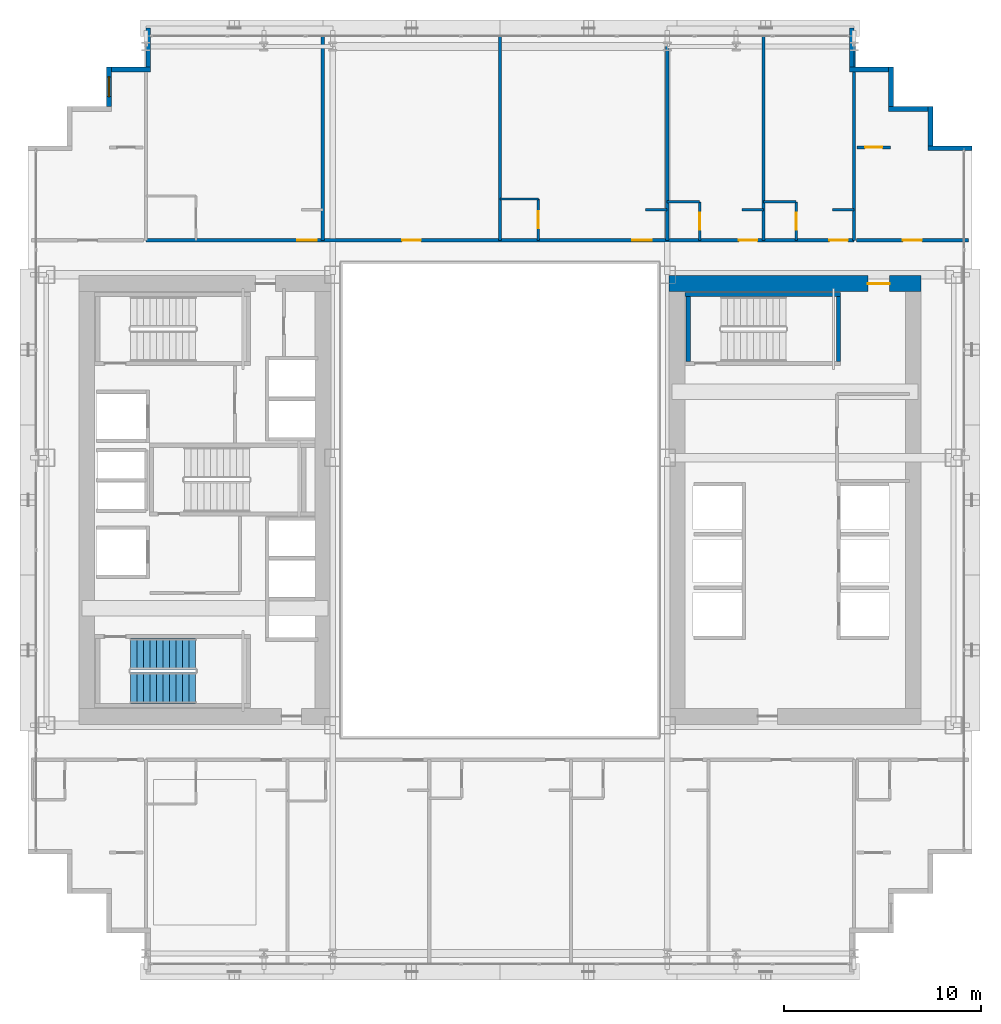
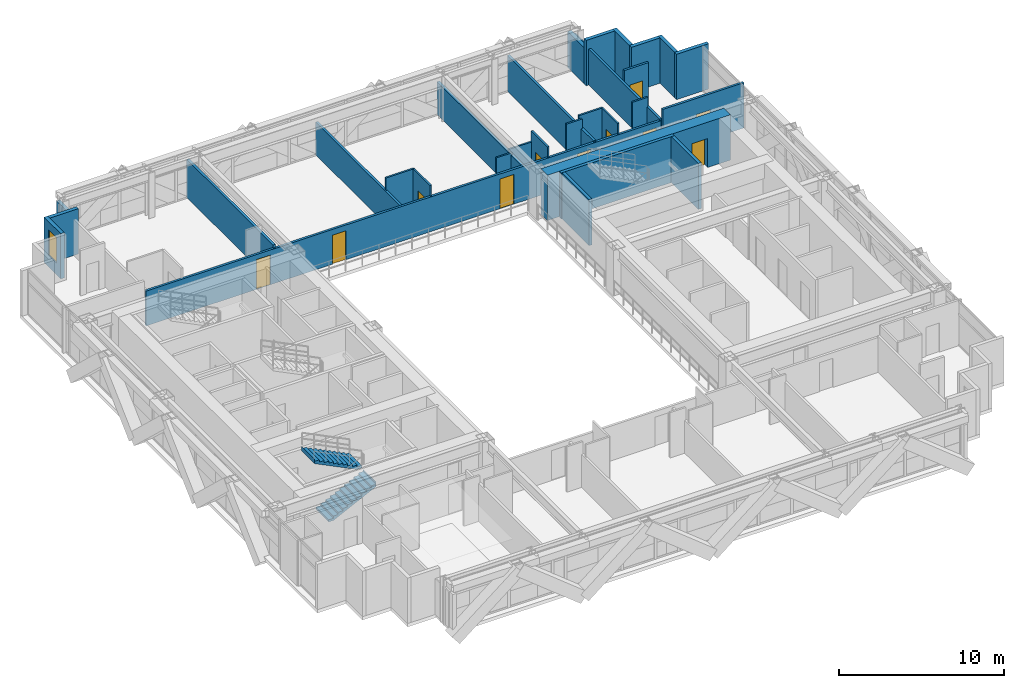
# One storey, part 30 of 35: 30 walls, 11 doors, 2 stair flights, 1 window, 12 openings, 1 element without a shape of its own.
"""IFC4 building model written with IfcOpenShell, lengths in metres."""

from ifc_helpers import new_model, si_unit, direction, frame, frame_2d, origin, place, context, subcontext, project, spatial, polyline, rectangle, outline, extrude, source, transform, mapped, material, layer, layer_set, type_object, element, fill, aggregate, save


model = new_model("IFC4")

# Units and contexts
model_context = context("Model", 3, precision=1e-05, world=origin(), true_north=direction((0.0, 1.0)))
body_context = subcontext(model_context, "Body", "Model", "MODEL_VIEW")
ifc_project = project(units=[si_unit("LENGTHUNIT", "METRE"), si_unit("AREAUNIT", "SQUARE_METRE"), si_unit("VOLUMEUNIT", "CUBIC_METRE"), si_unit("PLANEANGLEUNIT", "RADIAN"), si_unit("MASSUNIT", "GRAM", prefix="KILO")], contexts=[model_context])

# Site, building, storey
site_placement = place(None, origin())
site = spatial("IfcSite", under=ifc_project, at=site_placement, CompositionType="ELEMENT")
building_placement = place(site_placement, origin())
building = spatial("IfcBuilding", under=site, at=building_placement, Name="Ocotamira Hotel", CompositionType="ELEMENT")
storey_placement = place(building_placement, frame((0.0, 0.0, 78.0)))
storey = spatial("IfcBuildingStorey", under=building, at=storey_placement, Name="L19", CompositionType="ELEMENT", Elevation=78.0)

# Wall, opening, door
ifc_material_1 = material(Name="Concrete C60/75", Category="concrete")
ifc_layer_1 = layer(ifc_material_1, 0.800048828125)
ifc_layer_set_1 = layer_set([ifc_layer_1], Name="Concrete C60/75")
wall_type_1 = type_object("IfcWallType", Name="WL-CORE-800", PredefinedType="SHEAR", material=ifc_layer_set_1)
wall_1_placement = place(storey_placement, frame((40.60009765625, 37.0, 0.0), z_axis=(0.0, 0.0, 1.0), x_axis=(1.0, 0.0, 0.0)))
wall_1 = element("IfcWall", 1, at=wall_1_placement, inside=storey, type_object=wall_type_1, Name="L19 Shear Core Wall ECORE-N", PredefinedType="SHEAR", context=body_context, shape_type="SweptSolid", body=[
    extrude(rectangle(XDim=12.7998046875, YDim=0.800048828125, at=frame_2d((6.39990234375, 0.0))), origin(), (0.0, 0.0, 1.0), 3.35009765625),
])
opening_1_placement = place(wall_1_placement, frame((10.10009765625, 0.0, 0.0)))
opening_1 = element("IfcOpeningElement", 2, at=opening_1_placement, cuts=wall_1, Name="Opening D-FR1", PredefinedType="OPENING", context=body_context, shape_type="SweptSolid", body=[
    extrude(rectangle(XDim=1.10009765625, YDim=2.14990234375, at=frame_2d((0.550048828125, 1.074951171875))), frame((0.0, 0.41015625, 0.0), z_axis=(0.0, -1.0, 0.0), x_axis=(1.0, 0.0, 0.0)), (0.0, 0.0, 1.0), 0.820068359375),
])
ifc_material_2 = material(Name="Fire-rated acoustic timber-veneer door", Category="wood")
door_type_1 = type_object("IfcDoorType", Name="DR-FIRE-1100", OperationType="NOTDEFINED", PredefinedType="DOOR", material=ifc_material_2)
shared_shape_1 = source(origin(), body_context, "Body", "SweptSolid", [
    extrude(rectangle(XDim=1.10009765625, YDim=2.14990234375, at=frame_2d((0.550048828125, 1.074951171875))), frame((0.0, 0.02490234375, 0.0), z_axis=(0.0, -1.0, 0.0), x_axis=(1.0, 0.0, 0.0)), (0.0, 0.0, 1.0), 0.050048828125),
])
door_1_placement = place(opening_1_placement, origin())
door_1 = element("IfcDoor", 3, at=door_1_placement, inside=storey, type_object=door_type_1, Name="L19 Door ID-L19-ELOB-N-D [ID-L19-ELOB-N-D]", OperationType="SINGLE_SWING_LEFT", OverallHeight=2.14990234375, OverallWidth=1.10009765625, PredefinedType="DOOR", context=body_context, shape_type="MappedRepresentation", body=[
    mapped(shared_shape_1, transform((0.0, 0.0, 0.0), scale=1.0)),
])
fill(opening_1, door_1)

# Walls
ifc_material_3 = material(Name="Precast concrete C45/55", Category="concrete")
ifc_layer_2 = layer(ifc_material_3, 0.25)
ifc_layer_set_2 = layer_set([ifc_layer_2], Name="Precast concrete C45/55")
wall_type_2 = type_object("IfcWallType", Name="WL-EXT-SER-250", PredefinedType="SOLIDWALL", material=ifc_layer_set_2)
wall_2_placement = place(storey_placement, frame((56.0, 43.875, 0.0), z_axis=(0.0, 0.0, 1.0), x_axis=(-1.0, 0.0, 0.0)))
element("IfcWall", 4, at=wall_2_placement, inside=storey, type_object=wall_type_2, Name="L19 Serrated Corner Wall 07", PredefinedType="SOLIDWALL", context=body_context, shape_type="SweptSolid", body=[
    extrude(rectangle(XDim=2.25, YDim=0.25, at=frame_2d((1.125, 0.0))), origin(), (0.0, 0.0, 1.0), 3.35009765625),
])
for number, where, z_axis, x_axis, name in (
    (5, (53.875, 44.0, 0.0), (0.0, 0.0, 1.0), (0.0, 1.0, 0.0), "L19 Serrated Corner Wall 08"),
    (6, (53.75, 45.875, 0.0), (0.0, 0.0, 1.0), (-1.0, 0.0, 0.0), "L19 Serrated Corner Wall 09"),
    (7, (51.875, 46.0, 0.0), (0.0, 0.0, 1.0), (0.0, 1.0, 0.0), "L19 Serrated Corner Wall 10"),
    (8, (51.75, 47.875, 0.0), (0.0, 0.0, 1.0), (-1.0, 0.0, 0.0), "L19 Serrated Corner Wall 11"),
):
    element("IfcWall", number, at=place(storey_placement, frame(where, z_axis=z_axis, x_axis=x_axis)), inside=storey, type_object=wall_type_2, Name=name, PredefinedType="SOLIDWALL", context=body_context, shape_type="SweptSolid", body=[
        extrude(rectangle(XDim=2.0, YDim=0.25, at=frame_2d((1.0, 0.0))), origin(), (0.0, 0.0, 1.0), 3.35009765625),
    ])
for number, where, z_axis, x_axis, name in (
    (9, (49.875, 48.0, 0.0), (0.0, 0.0, 1.0), (0.0, 1.0, 0.0), "L19 Serrated Corner Wall 12"),
    (10, (14.125, 50.0, 0.0), (0.0, 0.0, 1.0), (0.0, -1.0, 0.0), "L19 Serrated Corner Wall 13"),
):
    element("IfcWall", number, at=place(storey_placement, frame(where, z_axis=z_axis, x_axis=x_axis)), inside=storey, type_object=wall_type_2, Name=name, PredefinedType="SOLIDWALL", context=body_context, shape_type="SweptSolid", body=[
        extrude(rectangle(XDim=2.0, YDim=0.25, at=frame_2d((1.0, 0.0))), origin(), (0.0, 0.0, 1.0), 2.656982421875),
    ])
wall_3_placement = place(storey_placement, frame((14.25, 47.875, 0.0), z_axis=(0.0, 0.0, 1.0), x_axis=(-1.0, 0.0, 0.0)))
element("IfcWall", 11, at=wall_3_placement, inside=storey, type_object=wall_type_2, Name="L19 Serrated Corner Wall 14", PredefinedType="SOLIDWALL", context=body_context, shape_type="SweptSolid", body=[
    extrude(rectangle(XDim=2.0, YDim=0.25, at=frame_2d((1.0, 0.0))), origin(), (0.0, 0.0, 1.0), 3.35009765625),
])

# Wall, opening, window
wall_4_placement = place(storey_placement, frame((12.125, 48.0, 0.0), z_axis=(0.0, 0.0, 1.0), x_axis=(0.0, -1.0, 0.0)))
wall_4 = element("IfcWall", 12, at=wall_4_placement, inside=storey, type_object=wall_type_2, Name="L19 Serrated Corner Wall 15", PredefinedType="SOLIDWALL", context=body_context, shape_type="SweptSolid", body=[
    extrude(rectangle(XDim=2.0, YDim=0.25, at=frame_2d((1.0, 0.0))), origin(), (0.0, 0.0, 1.0), 3.35009765625),
])
opening_2_placement = place(wall_4_placement, frame((0.5, 0.0, 0.85009765625)))
opening_2 = element("IfcOpeningElement", 13, at=opening_2_placement, cuts=wall_4, Name="Opening WN-2", PredefinedType="OPENING", context=body_context, shape_type="SweptSolid", body=[
    extrude(rectangle(XDim=1.0, YDim=1.89990234375, at=frame_2d((0.5, 0.949951171875))), frame((0.0, 0.135009765625, 0.0), z_axis=(0.0, -1.0, 0.0), x_axis=(1.0, 0.0, 0.0)), (0.0, 0.0, 1.0), 0.27001953125),
])
ifc_material_4 = material(Name="Double-silver low-E solar glass", Category="glass")
window_type = type_object("IfcWindowType", Name="WIN-SER-1100", PartitioningType="SINGLE_PANEL", PredefinedType="WINDOW", material=ifc_material_4)
shared_shape_2 = source(origin(), body_context, "Body", "SweptSolid", [
    extrude(rectangle(XDim=1.0, YDim=1.89990234375, at=frame_2d((0.5, 0.949951171875))), frame((0.0, 0.030029296875, 0.0), z_axis=(0.0, -1.0, 0.0), x_axis=(1.0, 0.0, 0.0)), (0.0, 0.0, 1.0), 0.06005859375),
])
window_placement = place(opening_2_placement, origin())
window = element("IfcWindow", 14, at=window_placement, inside=storey, type_object=window_type, Name="L19 Serrated Corner Window 15", OverallHeight=1.89990234375, OverallWidth=1.0, PartitioningType="SINGLE_PANEL", PredefinedType="WINDOW", context=body_context, shape_type="MappedRepresentation", body=[
    mapped(shared_shape_2, transform((0.0, 0.0, 0.0), scale=1.0)),
])
fill(opening_2, window)

# Wall, opening, door
ifc_material_5 = material(Name="Acoustic double-layer fire gypsum board partition", Category="gypsum")
ifc_layer_3 = layer(ifc_material_5, 0.159912109375)
ifc_layer_set_3 = layer_set([ifc_layer_3], Name="Acoustic double-layer fire gypsum board partition")
wall_type_3 = type_object("IfcWallType", Name="WL-FIRE-160", PredefinedType="PARTITIONING", material=ifc_layer_set_3)
wall_5_placement = place(storey_placement, frame((50.1201171875, 39.199951171875, 0.0), z_axis=(0.0, 0.0, 1.0), x_axis=(1.0, 0.0, 0.0)))
wall_5 = element("IfcWall", 15, at=wall_5_placement, inside=storey, type_object=wall_type_3, Name="L19 Interior Wall PW-L19-Z1E-CNE-CW", PredefinedType="PARTITIONING", context=body_context, shape_type="SweptSolid", body=[
    extrude(rectangle(XDim=5.679931640625, YDim=0.159912109375, at=frame_2d((2.83984375, 0.0))), origin(), (0.0, 0.0, 1.0), 3.35009765625),
])
opening_3_placement = place(wall_5_placement, frame((2.360107421875, 0.0, 0.0)))
opening_3 = element("IfcOpeningElement", 16, at=opening_3_placement, cuts=wall_5, Name="Opening D-SV4", PredefinedType="OPENING", context=body_context, shape_type="SweptSolid", body=[
    extrude(rectangle(XDim=0.9599609375, YDim=2.14990234375, at=frame_2d((0.47998046875, 1.074951171875))), frame((0.0, 0.08984375, 0.0), z_axis=(0.0, -1.0, 0.0), x_axis=(1.0, 0.0, 0.0)), (0.0, 0.0, 1.0), 0.179931640625),
])
ifc_material_6 = material(Name="Fire-rated accessible walnut salon door", Category="wood")
door_type_2 = type_object("IfcDoorType", Name="DR-SERV-960", OperationType="NOTDEFINED", PredefinedType="DOOR", material=ifc_material_6)
shared_shape_3 = source(origin(), body_context, "Body", "SweptSolid", [
    extrude(rectangle(XDim=0.9599609375, YDim=2.14990234375, at=frame_2d((0.47998046875, 1.074951171875))), frame((0.0, 0.02490234375, 0.0), z_axis=(0.0, -1.0, 0.0), x_axis=(1.0, 0.0, 0.0)), (0.0, 0.0, 1.0), 0.050048828125),
])
door_2_placement = place(opening_3_placement, origin())
door_2 = element("IfcDoor", 17, at=door_2_placement, inside=storey, type_object=door_type_2, Name="L19 Door ID-L19-Z1E-CNE-CD [ID-L19-Z1E-CNE-CD]", OperationType="SINGLE_SWING_LEFT", OverallHeight=2.14990234375, OverallWidth=0.9599609375, PredefinedType="DOOR", context=body_context, shape_type="MappedRepresentation", body=[
    mapped(shared_shape_3, transform((0.0, 0.0, 0.0), scale=1.0)),
])
fill(opening_3, door_2)

wall_6_placement = place(storey_placement, frame((50.14990234375, 43.919921875, 0.0), z_axis=(0.0, 0.0, 1.0), x_axis=(1.0, 0.0, 0.0)))
wall_6 = element("IfcWall", 18, at=wall_6_placement, inside=storey, type_object=wall_type_3, Name="L19 Interior Wall PW-L19-Z1E-CNE2-CW", PredefinedType="PARTITIONING", context=body_context, shape_type="SweptSolid", body=[
    extrude(rectangle(XDim=1.7001953125, YDim=0.159912109375, at=frame_2d((0.85009765625, 0.0))), origin(), (0.0, 0.0, 1.0), 3.35009765625),
])
opening_4_placement = place(wall_6_placement, frame((0.409912109375, 0.0, 0.0)))
opening_4 = element("IfcOpeningElement", 19, at=opening_4_placement, cuts=wall_6, Name="Opening D-SV2", PredefinedType="OPENING", context=body_context, shape_type="SweptSolid", body=[
    extrude(rectangle(XDim=0.8798828125, YDim=2.14990234375, at=frame_2d((0.43994140625, 1.074951171875))), frame((0.0, 0.08984375, 0.0), z_axis=(0.0, -1.0, 0.0), x_axis=(1.0, 0.0, 0.0)), (0.0, 0.0, 1.0), 0.179931640625),
])
ifc_material_7 = material(Name="Fire-rated painted steel service door", Category="steel")
door_type_3 = type_object("IfcDoorType", Name="DR-SERV-880", OperationType="NOTDEFINED", PredefinedType="DOOR", material=ifc_material_7)
shared_shape_4 = source(origin(), body_context, "Body", "SweptSolid", [
    extrude(rectangle(XDim=0.8798828125, YDim=2.14990234375, at=frame_2d((0.43994140625, 1.074951171875))), frame((0.0, 0.02490234375, 0.0), z_axis=(0.0, -1.0, 0.0), x_axis=(1.0, 0.0, 0.0)), (0.0, 0.0, 1.0), 0.050048828125),
])
door_3_placement = place(opening_4_placement, origin())
door_3 = element("IfcDoor", 20, at=door_3_placement, inside=storey, type_object=door_type_3, Name="L19 Door ID-L19-Z1E-CNE2-CD [ID-L19-Z1E-CNE2-CD]", OperationType="SINGLE_SWING_LEFT", OverallHeight=2.14990234375, OverallWidth=0.8798828125, PredefinedType="DOOR", context=body_context, shape_type="MappedRepresentation", body=[
    mapped(shared_shape_4, transform((0.0, 0.0, 0.0), scale=1.0)),
])
fill(opening_4, door_3)

# Wall, openings, doors
wall_7_placement = place(storey_placement, frame((14.0, 39.199951171875, 0.0), z_axis=(0.0, 0.0, 1.0), x_axis=(1.0, 0.0, 0.0)))
wall_7 = element("IfcWall", 21, at=wall_7_placement, inside=storey, type_object=wall_type_3, Name="L19 Interior Wall PW-L19-Z1EN-CORRW", PredefinedType="PARTITIONING", context=body_context, shape_type="SweptSolid", body=[
    extrude(rectangle(XDim=36.0, YDim=0.159912109375, at=frame_2d((18.0, 0.0))), origin(), (0.0, 0.0, 1.0), 2.571044921875),
])
opening_5_placement = place(wall_7_placement, frame((7.699951171875, 0.0, 0.0)))
opening_5 = element("IfcOpeningElement", 22, at=opening_5_placement, cuts=wall_7, Name="Opening D-GR2", PredefinedType="OPENING", context=body_context, shape_type="SweptSolid", body=[
    extrude(rectangle(XDim=0.97998046875, YDim=2.199951171875, at=frame_2d((0.489990234375, 1.10009765625))), frame((0.0, 0.08984375, 0.0), z_axis=(0.0, -1.0, 0.0), x_axis=(1.0, 0.0, 0.0)), (0.0, 0.0, 1.0), 0.179931640625),
])
opening_6_placement = place(wall_7_placement, frame((13.02001953125, 0.0, 0.0)))
opening_6 = element("IfcOpeningElement", 23, at=opening_6_placement, cuts=wall_7, Name="Opening D-SV4", PredefinedType="OPENING", context=body_context, shape_type="SweptSolid", body=[
    extrude(rectangle(XDim=0.9599609375, YDim=2.14990234375, at=frame_2d((0.47998046875, 1.074951171875))), frame((0.0, 0.08984375, 0.0), z_axis=(0.0, -1.0, 0.0), x_axis=(1.0, 0.0, 0.0)), (0.0, 0.0, 1.0), 0.179931640625),
])
opening_7_placement = place(wall_7_placement, frame((24.719970703125, 0.0, 0.0)))
opening_7 = element("IfcOpeningElement", 24, at=opening_7_placement, cuts=wall_7, Name="Opening D-GR2", PredefinedType="OPENING", context=body_context, shape_type="SweptSolid", body=[
    extrude(rectangle(XDim=0.97998046875, YDim=2.199951171875, at=frame_2d((0.489990234375, 1.10009765625))), frame((0.0, 0.08984375, 0.0), z_axis=(0.0, -1.0, 0.0), x_axis=(1.0, 0.0, 0.0)), (0.0, 0.0, 1.0), 0.179931640625),
])
opening_8_placement = place(wall_7_placement, frame((30.139892578125, 0.0, 0.0)))
opening_8 = element("IfcOpeningElement", 25, at=opening_8_placement, cuts=wall_7, Name="Opening D-GR1", PredefinedType="OPENING", context=body_context, shape_type="SweptSolid", body=[
    extrude(rectangle(XDim=0.93994140625, YDim=2.14990234375, at=frame_2d((0.469970703125, 1.074951171875))), frame((0.0, 0.08984375, 0.0), z_axis=(0.0, -1.0, 0.0), x_axis=(1.0, 0.0, 0.0)), (0.0, 0.0, 1.0), 0.179931640625),
])
opening_9_placement = place(wall_7_placement, frame((34.739990234375, 0.0, 0.0)))
opening_9 = element("IfcOpeningElement", 26, at=opening_9_placement, cuts=wall_7, Name="Opening D-GR1", PredefinedType="OPENING", context=body_context, shape_type="SweptSolid", body=[
    extrude(rectangle(XDim=0.93994140625, YDim=2.14990234375, at=frame_2d((0.469970703125, 1.074951171875))), frame((0.0, 0.08984375, 0.0), z_axis=(0.0, -1.0, 0.0), x_axis=(1.0, 0.0, 0.0)), (0.0, 0.0, 1.0), 0.179931640625),
])
door_4_placement = place(opening_6_placement, origin())
door_4 = element("IfcDoor", 27, at=door_4_placement, inside=storey, type_object=door_type_2, Name="L19 Door ID-L19-Z1EN-AMD2 [ID-L19-Z1EN-AMD2]", OperationType="SINGLE_SWING_RIGHT", OverallHeight=2.14990234375, OverallWidth=0.9599609375, PredefinedType="DOOR", context=body_context, shape_type="MappedRepresentation", body=[
    mapped(shared_shape_3, transform((0.0, 0.0, 0.0), scale=1.0)),
])
fill(opening_6, door_4)
ifc_material_8 = material(Name="Solid-core walnut suite entrance fire door", Category="wood")
door_type_4 = type_object("IfcDoorType", Name="DR-GUEST-940", OperationType="NOTDEFINED", PredefinedType="DOOR", material=ifc_material_8)
shared_shape_5 = source(origin(), body_context, "Body", "SweptSolid", [
    extrude(rectangle(XDim=0.93994140625, YDim=2.14990234375, at=frame_2d((0.469970703125, 1.074951171875))), frame((0.0, 0.02490234375, 0.0), z_axis=(0.0, -1.0, 0.0), x_axis=(1.0, 0.0, 0.0)), (0.0, 0.0, 1.0), 0.050048828125),
])
door_5_placement = place(opening_8_placement, origin())
door_5 = element("IfcDoor", 28, at=door_5_placement, inside=storey, type_object=door_type_4, Name="L19 Door ID-L19-Z1EN-RMD4 [ID-L19-Z1EN-RMD4]", OperationType="SINGLE_SWING_RIGHT", OverallHeight=2.14990234375, OverallWidth=0.93994140625, PredefinedType="DOOR", context=body_context, shape_type="MappedRepresentation", body=[
    mapped(shared_shape_5, transform((0.0, 0.0, 0.0), scale=1.0)),
])
fill(opening_8, door_5)
door_6_placement = place(opening_9_placement, origin())
door_6 = element("IfcDoor", 29, at=door_6_placement, inside=storey, type_object=door_type_4, Name="L19 Door ID-L19-Z1EN-RMD5 [ID-L19-Z1EN-RMD5]", OperationType="SINGLE_SWING_LEFT", OverallHeight=2.14990234375, OverallWidth=0.93994140625, PredefinedType="DOOR", context=body_context, shape_type="MappedRepresentation", body=[
    mapped(shared_shape_5, transform((0.0, 0.0, 0.0), scale=1.0)),
])
fill(opening_9, door_6)
ifc_material_9 = material(Name="Solid-core walnut grand-suite entrance fire door", Category="wood")
door_type_5 = type_object("IfcDoorType", Name="DR-GUEST-980", OperationType="NOTDEFINED", PredefinedType="DOOR", material=ifc_material_9)
shared_shape_6 = source(origin(), body_context, "Body", "SweptSolid", [
    extrude(rectangle(XDim=0.97998046875, YDim=2.199951171875, at=frame_2d((0.489990234375, 1.10009765625))), frame((0.0, 0.02490234375, 0.0), z_axis=(0.0, -1.0, 0.0), x_axis=(1.0, 0.0, 0.0)), (0.0, 0.0, 1.0), 0.050048828125),
])
door_7_placement = place(opening_5_placement, origin())
door_7 = element("IfcDoor", 30, at=door_7_placement, inside=storey, type_object=door_type_5, Name="L19 Door ID-L19-Z1EN-RMD1 [ID-L19-Z1EN-RMD1]", OperationType="SINGLE_SWING_LEFT", OverallHeight=2.199951171875, OverallWidth=0.97998046875, PredefinedType="DOOR", context=body_context, shape_type="MappedRepresentation", body=[
    mapped(shared_shape_6, transform((0.0, 0.0, 0.0), scale=1.0)),
])
fill(opening_5, door_7)
door_8_placement = place(opening_7_placement, origin())
door_8 = element("IfcDoor", 31, at=door_8_placement, inside=storey, type_object=door_type_5, Name="L19 Door ID-L19-Z1EN-RMD3 [ID-L19-Z1EN-RMD3]", OperationType="SINGLE_SWING_LEFT", OverallHeight=2.199951171875, OverallWidth=0.97998046875, PredefinedType="DOOR", context=body_context, shape_type="MappedRepresentation", body=[
    mapped(shared_shape_6, transform((0.0, 0.0, 0.0), scale=1.0)),
])
fill(opening_7, door_8)

# Wall, opening, door
ifc_material_10 = material(Name="Moisture-resistant en-suite tile and gypsum partition", Category="gypsum")
ifc_layer_4 = layer(ifc_material_10, 0.1201171875)
ifc_layer_set_4 = layer_set([ifc_layer_4], Name="Moisture-resistant en-suite tile and gypsum partition")
wall_type_4 = type_object("IfcWallType", Name="WL-PART-120", PredefinedType="PARTITIONING", material=ifc_layer_set_4)
wall_8_placement = place(storey_placement, frame((33.949951171875, 39.199951171875, 0.0), z_axis=(0.0, 0.0, 1.0), x_axis=(0.0, 1.0, 0.0)))
wall_8 = element("IfcWall", 32, at=wall_8_placement, inside=storey, type_object=wall_type_4, Name="L19 Interior Wall PW-L19-Z1EN-BAE3", PredefinedType="PARTITIONING", context=body_context, shape_type="SweptSolid", body=[
    extrude(rectangle(XDim=2.10009765625, YDim=0.1201171875, at=frame_2d((1.050048828125, 0.0))), origin(), (0.0, 0.0, 1.0), 3.35009765625),
])
opening_10_placement = place(wall_8_placement, frame((0.6201171875, 0.0, 0.0)))
opening_10 = element("IfcOpeningElement", 33, at=opening_10_placement, cuts=wall_8, Name="Opening D-BA1", PredefinedType="OPENING", context=body_context, shape_type="SweptSolid", body=[
    extrude(rectangle(XDim=0.860107421875, YDim=2.10009765625, at=frame_2d((0.43017578125, 1.050048828125))), frame((0.0, 0.070068359375, 0.0), z_axis=(0.0, -1.0, 0.0), x_axis=(1.0, 0.0, 0.0)), (0.0, 0.0, 1.0), 0.14013671875),
])
ifc_material_11 = material(Name="Moisture-sealed en-suite timber door", Category="wood")
door_type_6 = type_object("IfcDoorType", Name="DR-BATH-860", OperationType="NOTDEFINED", PredefinedType="DOOR", material=ifc_material_11)
shared_shape_7 = source(origin(), body_context, "Body", "SweptSolid", [
    extrude(rectangle(XDim=0.860107421875, YDim=2.10009765625, at=frame_2d((0.43017578125, 1.050048828125))), frame((0.0, 0.02490234375, 0.0), z_axis=(0.0, -1.0, 0.0), x_axis=(1.0, 0.0, 0.0)), (0.0, 0.0, 1.0), 0.050048828125),
])
door_9_placement = place(opening_10_placement, origin())
door_9 = element("IfcDoor", 34, at=door_9_placement, inside=storey, type_object=door_type_6, Name="L19 Door ID-L19-Z1EN-BAD3 [ID-L19-Z1EN-BAD3]", OperationType="SINGLE_SWING_RIGHT", OverallHeight=2.10009765625, OverallWidth=0.860107421875, PredefinedType="DOOR", context=body_context, shape_type="MappedRepresentation", body=[
    mapped(shared_shape_7, transform((0.0, 0.0, 0.0), scale=1.0)),
])
fill(opening_10, door_9)

# Walls
wall_9_placement = place(storey_placement, frame((32.0, 41.300048828125, 0.0), z_axis=(0.0, 0.0, 1.0), x_axis=(1.0, 0.0, 0.0)))
element("IfcWall", 35, at=wall_9_placement, inside=storey, type_object=wall_type_4, Name="L19 Interior Wall PW-L19-Z1EN-BAN3", PredefinedType="PARTITIONING", context=body_context, shape_type="SweptSolid", body=[
    extrude(rectangle(XDim=1.949951171875, YDim=0.1201171875, at=frame_2d((0.97509765625, 0.0))), origin(), (0.0, 0.0, 1.0), 3.35009765625),
])
wall_10_placement = place(storey_placement, frame((39.39990234375, 40.75, 0.0), z_axis=(0.0, 0.0, 1.0), x_axis=(1.0, 0.0, 0.0)))
element("IfcWall", 36, at=wall_10_placement, inside=storey, type_object=wall_type_4, Name="L19 Interior Wall PW-L19-Z1EN-DRN3", PredefinedType="PARTITIONING", context=body_context, shape_type="SweptSolid", body=[
    extrude(rectangle(XDim=1.10009765625, YDim=0.1201171875, at=frame_2d((0.550048828125, 0.0))), origin(), (0.0, 0.0, 1.0), 2.571044921875),
])

# Wall, opening, door
wall_11_placement = place(storey_placement, frame((42.14990234375, 39.199951171875, 0.0), z_axis=(0.0, 0.0, 1.0), x_axis=(0.0, 1.0, 0.0)))
wall_11 = element("IfcWall", 37, at=wall_11_placement, inside=storey, type_object=wall_type_4, Name="L19 Interior Wall PW-L19-Z1EN-BAE4", PredefinedType="PARTITIONING", context=body_context, shape_type="SweptSolid", body=[
    extrude(rectangle(XDim=1.949951171875, YDim=0.1201171875, at=frame_2d((0.97509765625, 0.0))), origin(), (0.0, 0.0, 1.0), 3.35009765625),
])
opening_11_placement = place(wall_11_placement, frame((0.544921875, 0.0, 0.0)))
opening_11 = element("IfcOpeningElement", 38, at=opening_11_placement, cuts=wall_11, Name="Opening D-BA1", PredefinedType="OPENING", context=body_context, shape_type="SweptSolid", body=[
    extrude(rectangle(XDim=0.860107421875, YDim=2.10009765625, at=frame_2d((0.43017578125, 1.050048828125))), frame((0.0, 0.070068359375, 0.0), z_axis=(0.0, -1.0, 0.0), x_axis=(1.0, 0.0, 0.0)), (0.0, 0.0, 1.0), 0.14013671875),
])
door_10_placement = place(opening_11_placement, origin())
door_10 = element("IfcDoor", 39, at=door_10_placement, inside=storey, type_object=door_type_6, Name="L19 Door ID-L19-Z1EN-BAD4 [ID-L19-Z1EN-BAD4]", OperationType="SINGLE_SWING_LEFT", OverallHeight=2.10009765625, OverallWidth=0.860107421875, PredefinedType="DOOR", context=body_context, shape_type="MappedRepresentation", body=[
    mapped(shared_shape_7, transform((0.0, 0.0, 0.0), scale=1.0)),
])
fill(opening_11, door_10)

# Walls
wall_12_placement = place(storey_placement, frame((40.5, 41.14990234375, 0.0), z_axis=(0.0, 0.0, 1.0), x_axis=(1.0, 0.0, 0.0)))
element("IfcWall", 40, at=wall_12_placement, inside=storey, type_object=wall_type_4, Name="L19 Interior Wall PW-L19-Z1EN-BAN4", PredefinedType="PARTITIONING", context=body_context, shape_type="SweptSolid", body=[
    extrude(rectangle(XDim=1.64990234375, YDim=0.1201171875, at=frame_2d((0.824951171875, 0.0))), origin(), (0.0, 0.0, 1.0), 2.571044921875),
])
wall_13_placement = place(storey_placement, frame((44.300048828125, 40.75, 0.0), z_axis=(0.0, 0.0, 1.0), x_axis=(1.0, 0.0, 0.0)))
element("IfcWall", 41, at=wall_13_placement, inside=storey, type_object=wall_type_4, Name="L19 Interior Wall PW-L19-Z1EN-DRN4", PredefinedType="PARTITIONING", context=body_context, shape_type="SweptSolid", body=[
    extrude(rectangle(XDim=1.099853515625, YDim=0.1201171875, at=frame_2d((0.5498046875, 0.0))), origin(), (0.0, 0.0, 1.0), 3.35009765625),
])

# Wall, opening, door
wall_14_placement = place(storey_placement, frame((47.050048828125, 39.199951171875, 0.0), z_axis=(0.0, 0.0, 1.0), x_axis=(0.0, 1.0, 0.0)))
wall_14 = element("IfcWall", 42, at=wall_14_placement, inside=storey, type_object=wall_type_4, Name="L19 Interior Wall PW-L19-Z1EN-BAE5", PredefinedType="PARTITIONING", context=body_context, shape_type="SweptSolid", body=[
    extrude(rectangle(XDim=1.949951171875, YDim=0.1201171875, at=frame_2d((0.97509765625, 0.0))), origin(), (0.0, 0.0, 1.0), 3.35009765625),
])
opening_12_placement = place(wall_14_placement, frame((0.544921875, 0.0, 0.0)))
opening_12 = element("IfcOpeningElement", 43, at=opening_12_placement, cuts=wall_14, Name="Opening D-BA1", PredefinedType="OPENING", context=body_context, shape_type="SweptSolid", body=[
    extrude(rectangle(XDim=0.860107421875, YDim=2.10009765625, at=frame_2d((0.43017578125, 1.050048828125))), frame((0.0, 0.070068359375, 0.0), z_axis=(0.0, -1.0, 0.0), x_axis=(1.0, 0.0, 0.0)), (0.0, 0.0, 1.0), 0.14013671875),
])
door_11_placement = place(opening_12_placement, origin())
door_11 = element("IfcDoor", 44, at=door_11_placement, inside=storey, type_object=door_type_6, Name="L19 Door ID-L19-Z1EN-BAD5 [ID-L19-Z1EN-BAD5]", OperationType="SINGLE_SWING_RIGHT", OverallHeight=2.10009765625, OverallWidth=0.860107421875, PredefinedType="DOOR", context=body_context, shape_type="MappedRepresentation", body=[
    mapped(shared_shape_7, transform((0.0, 0.0, 0.0), scale=1.0)),
])
fill(opening_12, door_11)

# Walls
wall_15_placement = place(storey_placement, frame((45.39990234375, 41.14990234375, 0.0), z_axis=(0.0, 0.0, 1.0), x_axis=(1.0, 0.0, 0.0)))
element("IfcWall", 45, at=wall_15_placement, inside=storey, type_object=wall_type_4, Name="L19 Interior Wall PW-L19-Z1EN-BAN5", PredefinedType="PARTITIONING", context=body_context, shape_type="SweptSolid", body=[
    extrude(rectangle(XDim=1.650146484375, YDim=0.1201171875, at=frame_2d((0.8251953125, 0.0))), origin(), (0.0, 0.0, 1.0), 3.35009765625),
])
wall_16_placement = place(storey_placement, frame((48.89990234375, 40.75, 0.0), z_axis=(0.0, 0.0, 1.0), x_axis=(1.0, 0.0, 0.0)))
element("IfcWall", 46, at=wall_16_placement, inside=storey, type_object=wall_type_4, Name="L19 Interior Wall PW-L19-Z1EN-DRN5", PredefinedType="PARTITIONING", context=body_context, shape_type="SweptSolid", body=[
    extrude(rectangle(XDim=1.10009765625, YDim=0.1201171875, at=frame_2d((0.550048828125, 0.0))), origin(), (0.0, 0.0, 1.0), 3.35009765625),
])
ifc_material_12 = material(Name="Acoustic double-stud hospitality gypsum partition", Category="gypsum")
ifc_layer_5 = layer(ifc_material_12, 0.159912109375)
ifc_layer_set_5 = layer_set([ifc_layer_5], Name="Acoustic double-stud hospitality gypsum partition")
wall_type_5 = type_object("IfcWallType", Name="WL-PART-160", PredefinedType="PARTITIONING", material=ifc_layer_set_5)
wall_17_placement = place(storey_placement, frame((50.0, 39.199951171875, 0.0), z_axis=(0.0, 0.0, 1.0), x_axis=(0.0, 1.0, 0.0)))
element("IfcWall", 47, at=wall_17_placement, inside=storey, type_object=wall_type_5, Name="L19 Interior Wall PW-L19-Z1EN-PWEND", PredefinedType="PARTITIONING", context=body_context, shape_type="SweptSolid", body=[
    extrude(rectangle(XDim=10.43994140625, YDim=0.159912109375, at=frame_2d((5.219970703125, 0.0))), origin(), (0.0, 0.0, 1.0), 2.656982421875),
])
wall_18_placement = place(storey_placement, frame((32.0, 39.199951171875, 0.0), z_axis=(0.0, 0.0, 1.0), x_axis=(0.0, 1.0, 0.0)))
element("IfcWall", 48, at=wall_18_placement, inside=storey, type_object=wall_type_5, Name="L19 Interior Wall PW-L19-Z1EN-PW2", PredefinedType="PARTITIONING", context=body_context, shape_type="SweptSolid", body=[
    extrude(rectangle(XDim=10.43994140625, YDim=0.159912109375, at=frame_2d((5.219970703125, 0.0))), origin(), (0.0, 0.0, 1.0), 2.423095703125),
])
wall_19_placement = place(storey_placement, frame((45.39990234375, 39.199951171875, 0.0), z_axis=(0.0, 0.0, 1.0), x_axis=(0.0, 1.0, 0.0)))
element("IfcWall", 49, at=wall_19_placement, inside=storey, type_object=wall_type_5, Name="L19 Interior Wall PW-L19-Z1EN-PW4", PredefinedType="PARTITIONING", context=body_context, shape_type="SweptSolid", body=[
    extrude(rectangle(XDim=10.43994140625, YDim=0.159912109375, at=frame_2d((5.219970703125, 0.0))), origin(), (0.0, 0.0, 1.0), 2.656982421875),
])
ifc_material_13 = material(Name="Double-stud suite party gypsum partition", Category="gypsum")
ifc_layer_6 = layer(ifc_material_13, 0.175048828125)
ifc_layer_set_6 = layer_set([ifc_layer_6], Name="Double-stud suite party gypsum partition")
wall_type_6 = type_object("IfcWallType", Name="WL-PART-175", PredefinedType="PARTITIONING", material=ifc_layer_set_6)
wall_20_placement = place(storey_placement, frame((23.0, 39.199951171875, 0.0), z_axis=(0.0, 0.0, 1.0), x_axis=(0.0, 1.0, 0.0)))
element("IfcWall", 50, at=wall_20_placement, inside=storey, type_object=wall_type_6, Name="L19 Interior Wall PW-L19-Z1EN-PW1", PredefinedType="PARTITIONING", context=body_context, shape_type="SweptSolid", body=[
    extrude(rectangle(XDim=10.43994140625, YDim=0.175048828125, at=frame_2d((5.219970703125, 0.0))), origin(), (0.0, 0.0, 1.0), 2.81298828125),
])
wall_21_placement = place(storey_placement, frame((40.5, 39.199951171875, 0.0), z_axis=(0.0, 0.0, 1.0), x_axis=(0.0, 1.0, 0.0)))
element("IfcWall", 51, at=wall_21_placement, inside=storey, type_object=wall_type_6, Name="L19 Interior Wall PW-L19-Z1EN-PW3", PredefinedType="PARTITIONING", context=body_context, shape_type="SweptSolid", body=[
    extrude(rectangle(XDim=10.43994140625, YDim=0.175048828125, at=frame_2d((5.219970703125, 0.0))), origin(), (0.0, 0.0, 1.0), 2.423095703125),
])
ifc_material_14 = material(Name="Concrete C50/60", Category="concrete")
ifc_layer_7 = layer(ifc_material_14, 0.219970703125)
ifc_layer_set_7 = layer_set([ifc_layer_7], Name="Concrete C50/60")
wall_type_7 = type_object("IfcWallType", Name="WL-STAIR-220", PredefinedType="SHEAR", material=ifc_layer_set_7)
wall_22_placement = place(storey_placement, frame((41.39990234375, 36.43994140625, 0.0), z_axis=(0.0, 0.0, 1.0), x_axis=(1.0, 0.0, 0.0)))
element("IfcWall", 52, at=wall_22_placement, inside=storey, type_object=wall_type_7, Name="L19 Stair Shaft Structural Wall ST-4-N", PredefinedType="SHEAR", context=body_context, shape_type="SweptSolid", body=[
    extrude(rectangle(XDim=7.91015625, YDim=0.219970703125, at=frame_2d((3.955078125, 0.0))), origin(), (0.0, 0.0, 1.0), 3.39990234375),
])
for number, where, z_axis, x_axis, name in (
    (53, (41.56005859375, 33.050048828125, 0.0), (0.0, 0.0, 1.0), (0.0, 1.0, 0.0), "L19 Stair Shaft Structural Wall ST-4-W"),
    (54, (49.199951171875, 33.050048828125, 0.0), (0.0, 0.0, 1.0), (0.0, 1.0, 0.0), "L19 Stair Shaft Structural Wall ST-4-E"),
):
    element("IfcWall", number, at=place(storey_placement, frame(where, z_axis=z_axis, x_axis=x_axis)), inside=storey, type_object=wall_type_7, Name=name, PredefinedType="SHEAR", context=body_context, shape_type="SweptSolid", body=[
        extrude(rectangle(XDim=3.280029296875, YDim=0.219970703125, at=frame_2d((1.64013671875, 0.0))), origin(), (0.0, 0.0, 1.0), 3.39990234375),
    ])

# Stair, stair flights
ifc_material_15 = material(Name="Concrete C40/50", Category="concrete")
stair_type = type_object("IfcStairType", Name="ST-CORE-1560", PredefinedType="HALF_TURN_STAIR", material=ifc_material_15)
stair_placement = place(storey_placement, origin())
stair = element("IfcStair", 55, at=stair_placement, inside=storey, type_object=stair_type, Name="L19 Exit Stair ST-1", PredefinedType="HALF_TURN_STAIR")
stair_flight_type = type_object("IfcStairFlightType", Name="STF-CORE-1560", PredefinedType="STRAIGHT", material=ifc_material_15)
shared_shape_8 = source(origin(), body_context, "Body", "SweptSolid", [
    extrude(outline(polyline([(-0.00390625, 0.0), (-0.00390625, 0.16357421875), (0.330078125, 0.16357421875), (0.330078125, 0.327392578125), (0.659912109375, 0.327392578125), (0.659912109375, 0.490966796875), (0.989990234375, 0.490966796875), (0.989990234375, 0.654541015625), (1.320068359375, 0.654541015625), (1.320068359375, 0.818115234375), (1.64990234375, 0.818115234375), (1.64990234375, 0.98193359375), (1.97998046875, 0.98193359375), (1.97998046875, 1.1455078125), (2.31005859375, 1.1455078125), (2.31005859375, 1.30908203125), (2.639892578125, 1.30908203125), (2.639892578125, 1.47265625), (2.969970703125, 1.47265625), (2.969970703125, 1.636474609375), (3.300048828125, 1.636474609375), (3.300048828125, 1.800048828125), (3.303955078125, 1.800048828125), (3.303955078125, 1.468994140625), (0.33740234375, 0.0), (-0.00390625, 0.0)])), frame((0.0, 0.780029296875, 0.0), z_axis=(0.0, -1.0, 0.0), x_axis=(1.0, 0.0, 0.0)), (0.0, 0.0, 1.0), 1.56005859375),
])
stair_flight_1_placement = place(storey_placement, frame((13.22998046875, 16.449951171875, 0.0), z_axis=(0.0, 0.0, 1.0), x_axis=(1.0, 0.0, 0.0)))
stair_flight_1 = element("IfcStairFlight", 56, at=stair_flight_1_placement, type_object=stair_flight_type, Name="ST-1 flight 1", NumberOfRisers=11, NumberOfTreads=10, PredefinedType="STRAIGHT", RiserHeight=0.163636364, TreadLength=0.33, context=body_context, shape_type="MappedRepresentation", body=[
    mapped(shared_shape_8, transform((0.0, 0.0, 0.0), scale=1.0)),
])
stair_flight_2_placement = place(storey_placement, frame((16.530029296875, 18.169921875, 1.800048828125), z_axis=(0.0, 0.0, 1.0), x_axis=(-1.0, 0.0, 0.0)))
stair_flight_2 = element("IfcStairFlight", 57, at=stair_flight_2_placement, type_object=stair_flight_type, Name="ST-1 flight 2", NumberOfRisers=11, NumberOfTreads=10, PredefinedType="STRAIGHT", RiserHeight=0.163636364, TreadLength=0.33, context=body_context, shape_type="MappedRepresentation", body=[
    mapped(shared_shape_8, transform((0.0, 0.0, 0.0), scale=1.0)),
])
aggregate(stair, [stair_flight_1, stair_flight_2])

save(model, "model.ifc")
